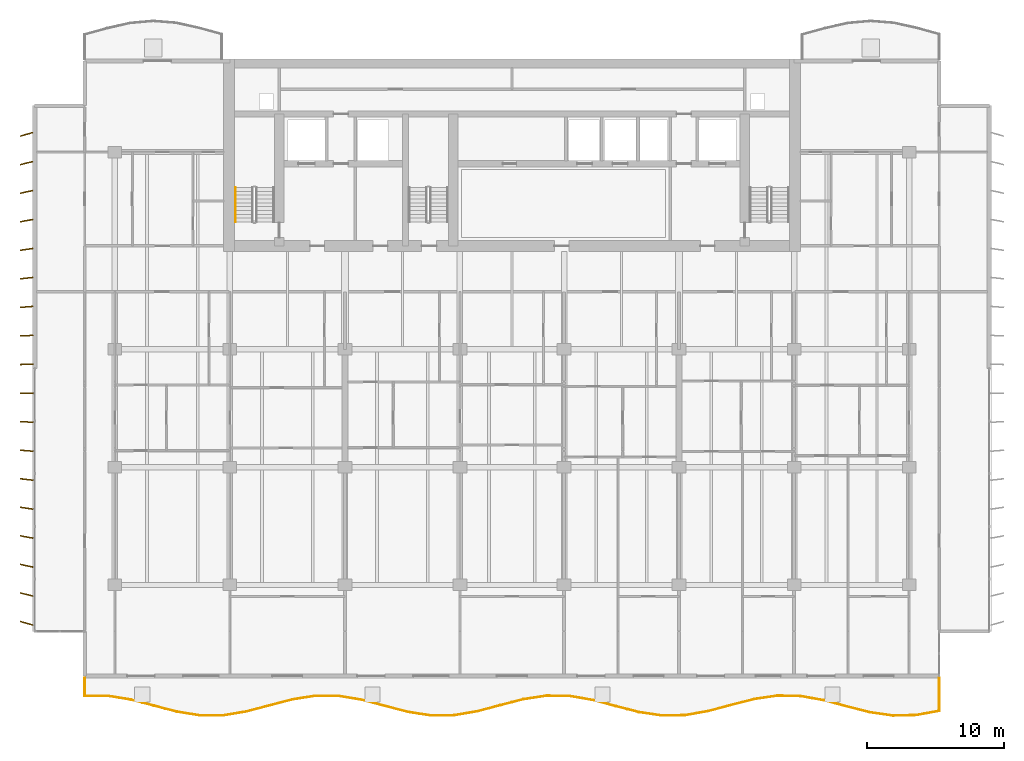
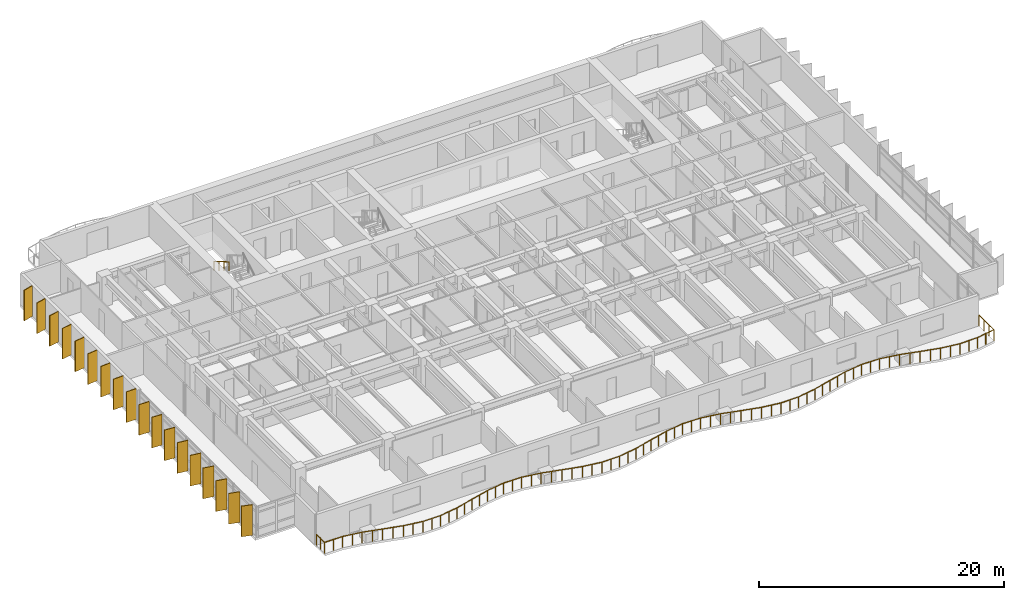
# One storey, part 16 of 19: 18 shading devices, 2 railings.
"""IFC4 building model written with IfcOpenShell, lengths in metres."""

from ifc_helpers import new_model, si_unit, direction, frame, origin, origin_2d, place, context, subcontext, project, spatial, rectangle, circle, extrude, material, material_profile, profile_set, type_object, element, save


model = new_model("IFC4")

# Units and contexts
model_context = context("Model", 3, precision=1e-05, world=origin(), true_north=direction((0.0, 1.0)))
body_context = subcontext(model_context, "Body", "Model", "MODEL_VIEW")
ifc_project = project(units=[si_unit("LENGTHUNIT", "METRE"), si_unit("AREAUNIT", "SQUARE_METRE"), si_unit("VOLUMEUNIT", "CUBIC_METRE"), si_unit("PLANEANGLEUNIT", "RADIAN"), si_unit("MASSUNIT", "GRAM", prefix="KILO")], contexts=[model_context])

# Site, building, storey
site_placement = place(None, origin())
site = spatial("IfcSite", under=ifc_project, at=site_placement, CompositionType="ELEMENT")
building_placement = place(site_placement, origin())
building = spatial("IfcBuilding", under=site, at=building_placement, Name="Caelmar Bay Residences", CompositionType="ELEMENT")
storey_placement = place(building_placement, frame((0.0, 0.0, 112.5)))
storey = spatial("IfcBuildingStorey", under=building, at=storey_placement, Name="L30", CompositionType="ELEMENT", Elevation=112.5)

# Railings
ifc_material_1 = material(Name="Anodised bronze handrail with laminated hurricane glass infill", Category="glass")
railing_type_1 = type_object("IfcRailingType", Name="RL-BAL-1100", PredefinedType="BALUSTRADE", material=ifc_material_1)
railing_1_placement = place(storey_placement, frame((7.699951171875, 5.39990234375, 0.0)))
element("IfcRailing", 1, at=railing_1_placement, inside=storey, type_object=railing_type_1, Name="L30 south Balcony Balustrade", PredefinedType="BALUSTRADE", context=body_context, shape_type="SweptSolid", body=[
    extrude(circle(Radius=0.02392578125, at=origin_2d()), frame((0.0, 0.0, 1.076171875), z_axis=(0.0, -1.0, 0.0), x_axis=(1.0, 0.0, 0.0)), (0.0, 0.0, 1.0), 1.306640625),
    extrude(circle(Radius=0.02392578125, at=origin_2d()), frame((0.0, -1.306640625, 1.076171875), z_axis=(0.999999958089, -0.000289519386, 0.0), x_axis=(0.000289519386, 0.999999958089, 0.0)), (0.0, 0.0, 1.0), 1.6865234375),
    extrude(circle(Radius=0.02392578125, at=origin_2d()), frame((1.6865234375, -1.30712890625, 1.076171875), z_axis=(0.986974579676, -0.160876284991, 0.0), x_axis=(0.160876284991, 0.986974579676, 0.0)), (0.0, 0.0, 1.0), 1.708740234375),
    extrude(circle(Radius=0.02392578125, at=origin_2d()), frame((3.373046875, -1.58203125, 1.076171875), z_axis=(0.967139791751, -0.254245202927, 0.0), x_axis=(0.254245202927, 0.967139791751, 0.0)), (0.0, 0.0, 1.0), 1.743896484375),
    extrude(circle(Radius=0.02392578125, at=origin_2d()), frame((5.0595703125, -2.025390625, 1.076171875), z_axis=(0.967440029978, -0.253100352421, 0.0), x_axis=(0.253100352421, 0.967440029978, 0.0)), (0.0, 0.0, 1.0), 1.742919921875),
    extrude(circle(Radius=0.02392578125, at=origin_2d()), frame((6.745849609375, -2.466552734375, 1.076171875), z_axis=(0.9874914269, -0.157672704672, 0.0), x_axis=(0.157672704672, 0.9874914269, 0.0)), (0.0, 0.0, 1.0), 1.7080078125),
    extrude(circle(Radius=0.02392578125, at=origin_2d()), frame((8.432373046875, -2.73583984375, 1.076171875), z_axis=(0.999993451511, 0.003618968774, 0.0), x_axis=(-0.003618968774, 0.999993451511, 0.0)), (0.0, 0.0, 1.0), 1.6865234375),
    extrude(circle(Radius=0.02392578125, at=origin_2d()), frame((10.118896484375, -2.729736328125, 1.076171875), z_axis=(0.986563231063, 0.163379898138, 0.0), x_axis=(-0.163379898138, 0.986563231063, 0.0)), (0.0, 0.0, 1.0), 1.70947265625),
    extrude(circle(Radius=0.02392578125, at=origin_2d()), frame((11.805419921875, -2.450439453125, 1.076171875), z_axis=(0.966898439916, 0.255161530974, 0.0), x_axis=(-0.255161530974, 0.966898439916, 0.0)), (0.0, 0.0, 1.0), 1.744140625),
    extrude(circle(Radius=0.02392578125, at=origin_2d()), frame((13.491943359375, -2.00537109375, 1.076171875), z_axis=(0.967688638473, 0.252148168682, 0.0), x_axis=(-0.252148168682, 0.967688638473, 0.0)), (0.0, 0.0, 1.0), 1.742919921875),
    extrude(circle(Radius=0.02392578125, at=origin_2d()), frame((15.178466796875, -1.56591796875, 1.076171875), z_axis=(0.987910938924, 0.155022504023, 0.0), x_axis=(-0.155022504023, 0.987910938924, 0.0)), (0.0, 0.0, 1.0), 1.707275390625),
    extrude(circle(Radius=0.02392578125, at=origin_2d()), frame((16.864990234375, -1.30126953125, 1.076171875), z_axis=(0.999975860287, -0.006948297813, 0.0), x_axis=(0.006948297813, 0.999975860287, 0.0)), (0.0, 0.0, 1.0), 1.6865234375),
    extrude(circle(Radius=0.02392578125, at=origin_2d()), frame((18.551513671875, -1.31298828125, 1.076171875), z_axis=(0.986118588389, -0.166042553684, 0.0), x_axis=(0.166042553684, 0.986118588389, 0.0)), (0.0, 0.0, 1.0), 1.7099609375),
    extrude(circle(Radius=0.02392578125, at=origin_2d()), frame((20.23779296875, -1.596923828125, 1.076171875), z_axis=(0.966690972381, -0.255946408292, 0.0), x_axis=(0.255946408292, 0.966690972381, 0.0)), (0.0, 0.0, 1.0), 1.74462890625),
    extrude(circle(Radius=0.02392578125, at=origin_2d()), frame((21.92431640625, -2.04345703125, 1.076171875), z_axis=(0.967927523166, -0.251229595981, 0.0), x_axis=(0.251229595981, 0.967927523166, 0.0)), (0.0, 0.0, 1.0), 1.742431640625),
    extrude(circle(Radius=0.02392578125, at=origin_2d()), frame((23.61083984375, -2.481201171875, 1.076171875), z_axis=(0.988323683, -0.152368952287, 0.0), x_axis=(0.152368952287, 0.988323683, 0.0)), (0.0, 0.0, 1.0), 1.70654296875),
    extrude(circle(Radius=0.02392578125, at=origin_2d()), frame((25.29736328125, -2.7412109375, 1.076171875), z_axis=(0.999945688105, 0.010422132244, 0.0), x_axis=(-0.010422132244, 0.999945688105, 0.0)), (0.0, 0.0, 1.0), 1.6865234375),
    extrude(circle(Radius=0.02392578125, at=origin_2d()), frame((26.98388671875, -2.7236328125, 1.076171875), z_axis=(0.985698872847, 0.168516266478, 0.0), x_axis=(-0.168516266478, 0.985698872847, 0.0)), (0.0, 0.0, 1.0), 1.7109375),
    extrude(circle(Radius=0.02392578125, at=origin_2d()), frame((28.67041015625, -2.435302734375, 1.076171875), z_axis=(0.966448234949, 0.256861459086, 0.0), x_axis=(-0.256861459086, 0.966448234949, 0.0)), (0.0, 0.0, 1.0), 1.7451171875),
    extrude(circle(Radius=0.02392578125, at=origin_2d()), frame((30.35693359375, -1.987060546875, 1.076171875), z_axis=(0.968224786027, 0.250081514156, 0.0), x_axis=(-0.250081514156, 0.968224786027, 0.0)), (0.0, 0.0, 1.0), 1.74169921875),
    extrude(circle(Radius=0.02392578125, at=origin_2d()), frame((32.043212890625, -1.551513671875, 1.076171875), z_axis=(0.988729632771, 0.149712101314, 0.0), x_axis=(-0.149712101314, 0.988729632771, 0.0)), (0.0, 0.0, 1.0), 1.705810546875),
    extrude(circle(Radius=0.02392578125, at=origin_2d()), frame((33.729736328125, -1.296142578125, 1.076171875), z_axis=(0.999905452302, -0.013750871159, 0.0), x_axis=(0.013750871159, 0.999905452302, 0.0)), (0.0, 0.0, 1.0), 1.686767578125),
    extrude(circle(Radius=0.02392578125, at=origin_2d()), frame((35.416259765625, -1.3193359375, 1.076171875), z_axis=(0.985269273516, -0.17101011276, 0.0), x_axis=(0.17101011276, 0.985269273516, 0.0)), (0.0, 0.0, 1.0), 1.711669921875),
    extrude(circle(Radius=0.02392578125, at=origin_2d()), frame((37.102783203125, -1.612060546875, 1.076171875), z_axis=(0.966239582517, -0.257645238998, 0.0), x_axis=(0.257645238998, 0.966239582517, 0.0)), (0.0, 0.0, 1.0), 1.745361328125),
    extrude(circle(Radius=0.02392578125, at=origin_2d()), frame((38.789306640625, -2.061767578125, 1.076171875), z_axis=(0.968504525457, -0.248995952115, 0.0), x_axis=(0.248995952115, 0.968504525457, 0.0)), (0.0, 0.0, 1.0), 1.741455078125),
    extrude(circle(Radius=0.02392578125, at=origin_2d()), frame((40.475830078125, -2.495361328125, 1.076171875), z_axis=(0.989149579657, -0.146911909196, 0.0), x_axis=(0.146911909196, 0.989149579657, 0.0)), (0.0, 0.0, 1.0), 1.705078125),
    extrude(circle(Radius=0.02392578125, at=origin_2d()), frame((42.162353515625, -2.745849609375, 1.076171875), z_axis=(0.999856560301, 0.016936907131, 0.0), x_axis=(-0.016936907131, 0.999856560301, 0.0)), (0.0, 0.0, 1.0), 1.6865234375),
    extrude(circle(Radius=0.02392578125, at=origin_2d()), frame((43.8486328125, -2.71728515625, 1.076171875), z_axis=(0.984833750045, 0.173500676578, 0.0), x_axis=(-0.173500676578, 0.984833750045, 0.0)), (0.0, 0.0, 1.0), 1.71240234375),
    extrude(circle(Radius=0.02392578125, at=origin_2d()), frame((45.53515625, -2.420166015625, 1.076171875), z_axis=(0.966030385071, 0.258428510656, 0.0), x_axis=(-0.258428510656, 0.966030385071, 0.0)), (0.0, 0.0, 1.0), 1.745849609375),
    extrude(circle(Radius=0.02392578125, at=origin_2d()), frame((47.2216796875, -1.968994140625, 1.076171875), z_axis=(0.968808185874, 0.24781182172, 0.0), x_axis=(-0.24781182172, 0.968808185874, 0.0)), (0.0, 0.0, 1.0), 1.74072265625),
    extrude(circle(Radius=0.02392578125, at=origin_2d()), frame((48.908203125, -1.53759765625, 1.076171875), z_axis=(0.989521045856, 0.144388710802, 0.0), x_axis=(-0.144388710802, 0.989521045856, 0.0)), (0.0, 0.0, 1.0), 1.704345703125),
    extrude(circle(Radius=0.02392578125, at=origin_2d()), frame((50.5947265625, -1.29150390625, 1.076171875), z_axis=(0.999791758205, -0.020406867097, 0.0), x_axis=(0.020406867097, 0.999791758205, 0.0)), (0.0, 0.0, 1.0), 1.686767578125),
    extrude(circle(Radius=0.02392578125, at=origin_2d()), frame((52.28125, -1.325927734375, 1.076171875), z_axis=(0.984387912567, -0.176012606344, 0.0), x_axis=(0.176012606344, 0.984387912567, 0.0)), (0.0, 0.0, 1.0), 1.713134765625),
    extrude(circle(Radius=0.02392578125, at=origin_2d()), frame((53.967529296875, -1.62744140625, 1.076171875), z_axis=(0.965855638387, -0.259080847992, 0.0), x_axis=(0.259080847992, 0.965855638387, 0.0)), (0.0, 0.0, 1.0), 1.74609375),
    extrude(circle(Radius=0.02392578125, at=origin_2d()), frame((55.654052734375, -2.079833984375, 1.076171875), z_axis=(0.969077049344, -0.246758327996, 0.0), x_axis=(0.246758327996, 0.969077049344, 0.0)), (0.0, 0.0, 1.0), 1.740234375),
    extrude(circle(Radius=0.02392578125, at=origin_2d()), frame((57.340576171875, -2.50927734375, 1.076171875), z_axis=(0.98994662737, -0.141441418821, 0.0), x_axis=(0.141441418821, 0.98994662737, 0.0)), (0.0, 0.0, 1.0), 1.70361328125),
    extrude(circle(Radius=0.02392578125, at=origin_2d()), frame((59.027099609375, -2.750244140625, 1.076171875), z_axis=(0.999718311246, 0.023733903162, 0.0), x_axis=(-0.023733903162, 0.999718311246, 0.0)), (0.0, 0.0, 1.0), 1.68701171875),
    extrude(circle(Radius=0.02392578125, at=origin_2d()), frame((60.713623046875, -2.710205078125, 1.076171875), z_axis=(0.983970032718, 0.17833388549, 0.0), x_axis=(-0.17833388549, 0.983970032718, 0.0)), (0.0, 0.0, 1.0), 1.714111328125),
    extrude(circle(Radius=0.02392578125, at=origin_2d()), frame((62.400146484375, -2.404541015625, 1.076171875), z_axis=(0.0, 1.0, 0.0), x_axis=(-1.0, 0.0, 0.0)), (0.0, 0.0, 1.0), 2.404541015625),
    extrude(circle(Radius=0.02099609375, at=origin_2d()), origin(), (0.0, 0.0, 1.0), 1.052001953125),
    extrude(circle(Radius=0.02099609375, at=origin_2d()), frame((0.0, -0.6533203125, 0.0)), (0.0, 0.0, 1.0), 1.052001953125),
    extrude(circle(Radius=0.02099609375, at=origin_2d()), frame((0.0, -1.306640625, 0.0)), (0.0, 0.0, 1.0), 1.052001953125),
    extrude(circle(Radius=0.02099609375, at=origin_2d()), frame((0.84326171875, -1.306884765625, 0.0)), (0.0, 0.0, 1.0), 1.052001953125),
    extrude(circle(Radius=0.02099609375, at=origin_2d()), frame((1.6865234375, -1.30712890625, 0.0)), (0.0, 0.0, 1.0), 1.052001953125),
    extrude(circle(Radius=0.02099609375, at=origin_2d()), frame((2.52978515625, -1.444580078125, 0.0)), (0.0, 0.0, 1.0), 1.052001953125),
    extrude(circle(Radius=0.02099609375, at=origin_2d()), frame((3.373046875, -1.58203125, 0.0)), (0.0, 0.0, 1.0), 1.052001953125),
    extrude(circle(Radius=0.02099609375, at=origin_2d()), frame((4.21630859375, -1.8037109375, 0.0)), (0.0, 0.0, 1.0), 1.052001953125),
    extrude(circle(Radius=0.02099609375, at=origin_2d()), frame((5.0595703125, -2.025390625, 0.0)), (0.0, 0.0, 1.0), 1.052001953125),
    extrude(circle(Radius=0.02099609375, at=origin_2d()), frame((5.90283203125, -2.24609375, 0.0)), (0.0, 0.0, 1.0), 1.052001953125),
    extrude(circle(Radius=0.02099609375, at=origin_2d()), frame((6.745849609375, -2.466552734375, 0.0)), (0.0, 0.0, 1.0), 1.052001953125),
    extrude(circle(Radius=0.02099609375, at=origin_2d()), frame((7.589111328125, -2.60107421875, 0.0)), (0.0, 0.0, 1.0), 1.052001953125),
    extrude(circle(Radius=0.02099609375, at=origin_2d()), frame((8.432373046875, -2.73583984375, 0.0)), (0.0, 0.0, 1.0), 1.052001953125),
    extrude(circle(Radius=0.02099609375, at=origin_2d()), frame((9.275634765625, -2.73291015625, 0.0)), (0.0, 0.0, 1.0), 1.052001953125),
    extrude(circle(Radius=0.02099609375, at=origin_2d()), frame((10.118896484375, -2.729736328125, 0.0)), (0.0, 0.0, 1.0), 1.052001953125),
    extrude(circle(Radius=0.02099609375, at=origin_2d()), frame((10.962158203125, -2.590087890625, 0.0)), (0.0, 0.0, 1.0), 1.052001953125),
    extrude(circle(Radius=0.02099609375, at=origin_2d()), frame((11.805419921875, -2.450439453125, 0.0)), (0.0, 0.0, 1.0), 1.052001953125),
    extrude(circle(Radius=0.02099609375, at=origin_2d()), frame((12.648681640625, -2.22802734375, 0.0)), (0.0, 0.0, 1.0), 1.052001953125),
    extrude(circle(Radius=0.02099609375, at=origin_2d()), frame((13.491943359375, -2.00537109375, 0.0)), (0.0, 0.0, 1.0), 1.052001953125),
    extrude(circle(Radius=0.02099609375, at=origin_2d()), frame((14.335205078125, -1.78564453125, 0.0)), (0.0, 0.0, 1.0), 1.052001953125),
    extrude(circle(Radius=0.02099609375, at=origin_2d()), frame((15.178466796875, -1.56591796875, 0.0)), (0.0, 0.0, 1.0), 1.052001953125),
    extrude(circle(Radius=0.02099609375, at=origin_2d()), frame((16.021728515625, -1.43359375, 0.0)), (0.0, 0.0, 1.0), 1.052001953125),
    extrude(circle(Radius=0.02099609375, at=origin_2d()), frame((16.864990234375, -1.30126953125, 0.0)), (0.0, 0.0, 1.0), 1.052001953125),
    extrude(circle(Radius=0.02099609375, at=origin_2d()), frame((17.708251953125, -1.30712890625, 0.0)), (0.0, 0.0, 1.0), 1.052001953125),
    extrude(circle(Radius=0.02099609375, at=origin_2d()), frame((18.551513671875, -1.31298828125, 0.0)), (0.0, 0.0, 1.0), 1.052001953125),
    extrude(circle(Radius=0.02099609375, at=origin_2d()), frame((19.39453125, -1.455078125, 0.0)), (0.0, 0.0, 1.0), 1.052001953125),
    extrude(circle(Radius=0.02099609375, at=origin_2d()), frame((20.23779296875, -1.596923828125, 0.0)), (0.0, 0.0, 1.0), 1.052001953125),
    extrude(circle(Radius=0.02099609375, at=origin_2d()), frame((21.0810546875, -1.8203125, 0.0)), (0.0, 0.0, 1.0), 1.052001953125),
    extrude(circle(Radius=0.02099609375, at=origin_2d()), frame((21.92431640625, -2.04345703125, 0.0)), (0.0, 0.0, 1.0), 1.052001953125),
    extrude(circle(Radius=0.02099609375, at=origin_2d()), frame((22.767578125, -2.26220703125, 0.0)), (0.0, 0.0, 1.0), 1.052001953125),
    extrude(circle(Radius=0.02099609375, at=origin_2d()), frame((23.61083984375, -2.481201171875, 0.0)), (0.0, 0.0, 1.0), 1.052001953125),
    extrude(circle(Radius=0.02099609375, at=origin_2d()), frame((24.4541015625, -2.611328125, 0.0)), (0.0, 0.0, 1.0), 1.052001953125),
    extrude(circle(Radius=0.02099609375, at=origin_2d()), frame((25.29736328125, -2.7412109375, 0.0)), (0.0, 0.0, 1.0), 1.052001953125),
    extrude(circle(Radius=0.02099609375, at=origin_2d()), frame((26.140625, -2.732421875, 0.0)), (0.0, 0.0, 1.0), 1.052001953125),
    extrude(circle(Radius=0.02099609375, at=origin_2d()), frame((26.98388671875, -2.7236328125, 0.0)), (0.0, 0.0, 1.0), 1.052001953125),
    extrude(circle(Radius=0.02099609375, at=origin_2d()), frame((27.8271484375, -2.57958984375, 0.0)), (0.0, 0.0, 1.0), 1.052001953125),
    extrude(circle(Radius=0.02099609375, at=origin_2d()), frame((28.67041015625, -2.435302734375, 0.0)), (0.0, 0.0, 1.0), 1.052001953125),
    extrude(circle(Radius=0.02099609375, at=origin_2d()), frame((29.513671875, -2.211181640625, 0.0)), (0.0, 0.0, 1.0), 1.052001953125),
    extrude(circle(Radius=0.02099609375, at=origin_2d()), frame((30.35693359375, -1.987060546875, 0.0)), (0.0, 0.0, 1.0), 1.052001953125),
    extrude(circle(Radius=0.02099609375, at=origin_2d()), frame((31.2001953125, -1.769287109375, 0.0)), (0.0, 0.0, 1.0), 1.052001953125),
    extrude(circle(Radius=0.02099609375, at=origin_2d()), frame((32.043212890625, -1.551513671875, 0.0)), (0.0, 0.0, 1.0), 1.052001953125),
    extrude(circle(Radius=0.02099609375, at=origin_2d()), frame((32.886474609375, -1.423828125, 0.0)), (0.0, 0.0, 1.0), 1.052001953125),
    extrude(circle(Radius=0.02099609375, at=origin_2d()), frame((33.729736328125, -1.296142578125, 0.0)), (0.0, 0.0, 1.0), 1.052001953125),
    extrude(circle(Radius=0.02099609375, at=origin_2d()), frame((34.572998046875, -1.3076171875, 0.0)), (0.0, 0.0, 1.0), 1.052001953125),
    extrude(circle(Radius=0.02099609375, at=origin_2d()), frame((35.416259765625, -1.3193359375, 0.0)), (0.0, 0.0, 1.0), 1.052001953125),
    extrude(circle(Radius=0.02099609375, at=origin_2d()), frame((36.259521484375, -1.4658203125, 0.0)), (0.0, 0.0, 1.0), 1.052001953125),
    extrude(circle(Radius=0.02099609375, at=origin_2d()), frame((37.102783203125, -1.612060546875, 0.0)), (0.0, 0.0, 1.0), 1.052001953125),
    extrude(circle(Radius=0.02099609375, at=origin_2d()), frame((37.946044921875, -1.8369140625, 0.0)), (0.0, 0.0, 1.0), 1.052001953125),
    extrude(circle(Radius=0.02099609375, at=origin_2d()), frame((38.789306640625, -2.061767578125, 0.0)), (0.0, 0.0, 1.0), 1.052001953125),
    extrude(circle(Radius=0.02099609375, at=origin_2d()), frame((39.632568359375, -2.278564453125, 0.0)), (0.0, 0.0, 1.0), 1.052001953125),
    extrude(circle(Radius=0.02099609375, at=origin_2d()), frame((40.475830078125, -2.495361328125, 0.0)), (0.0, 0.0, 1.0), 1.052001953125),
    extrude(circle(Radius=0.02099609375, at=origin_2d()), frame((41.319091796875, -2.62060546875, 0.0)), (0.0, 0.0, 1.0), 1.052001953125),
    extrude(circle(Radius=0.02099609375, at=origin_2d()), frame((42.162353515625, -2.745849609375, 0.0)), (0.0, 0.0, 1.0), 1.052001953125),
    extrude(circle(Radius=0.02099609375, at=origin_2d()), frame((43.00537109375, -2.7314453125, 0.0)), (0.0, 0.0, 1.0), 1.052001953125),
    extrude(circle(Radius=0.02099609375, at=origin_2d()), frame((43.8486328125, -2.71728515625, 0.0)), (0.0, 0.0, 1.0), 1.052001953125),
    extrude(circle(Radius=0.02099609375, at=origin_2d()), frame((44.69189453125, -2.56884765625, 0.0)), (0.0, 0.0, 1.0), 1.052001953125),
    extrude(circle(Radius=0.02099609375, at=origin_2d()), frame((45.53515625, -2.420166015625, 0.0)), (0.0, 0.0, 1.0), 1.052001953125),
    extrude(circle(Radius=0.02099609375, at=origin_2d()), frame((46.37841796875, -2.194580078125, 0.0)), (0.0, 0.0, 1.0), 1.052001953125),
    extrude(circle(Radius=0.02099609375, at=origin_2d()), frame((47.2216796875, -1.968994140625, 0.0)), (0.0, 0.0, 1.0), 1.052001953125),
    extrude(circle(Radius=0.02099609375, at=origin_2d()), frame((48.06494140625, -1.75341796875, 0.0)), (0.0, 0.0, 1.0), 1.052001953125),
    extrude(circle(Radius=0.02099609375, at=origin_2d()), frame((48.908203125, -1.53759765625, 0.0)), (0.0, 0.0, 1.0), 1.052001953125),
    extrude(circle(Radius=0.02099609375, at=origin_2d()), frame((49.75146484375, -1.41455078125, 0.0)), (0.0, 0.0, 1.0), 1.052001953125),
    extrude(circle(Radius=0.02099609375, at=origin_2d()), frame((50.5947265625, -1.29150390625, 0.0)), (0.0, 0.0, 1.0), 1.052001953125),
    extrude(circle(Radius=0.02099609375, at=origin_2d()), frame((51.43798828125, -1.30859375, 0.0)), (0.0, 0.0, 1.0), 1.052001953125),
    extrude(circle(Radius=0.02099609375, at=origin_2d()), frame((52.28125, -1.325927734375, 0.0)), (0.0, 0.0, 1.0), 1.052001953125),
    extrude(circle(Radius=0.02099609375, at=origin_2d()), frame((53.12451171875, -1.4765625, 0.0)), (0.0, 0.0, 1.0), 1.052001953125),
    extrude(circle(Radius=0.02099609375, at=origin_2d()), frame((53.967529296875, -1.62744140625, 0.0)), (0.0, 0.0, 1.0), 1.052001953125),
    extrude(circle(Radius=0.02099609375, at=origin_2d()), frame((54.810791015625, -1.853515625, 0.0)), (0.0, 0.0, 1.0), 1.052001953125),
    extrude(circle(Radius=0.02099609375, at=origin_2d()), frame((55.654052734375, -2.079833984375, 0.0)), (0.0, 0.0, 1.0), 1.052001953125),
    extrude(circle(Radius=0.02099609375, at=origin_2d()), frame((56.497314453125, -2.29443359375, 0.0)), (0.0, 0.0, 1.0), 1.052001953125),
    extrude(circle(Radius=0.02099609375, at=origin_2d()), frame((57.340576171875, -2.50927734375, 0.0)), (0.0, 0.0, 1.0), 1.052001953125),
    extrude(circle(Radius=0.02099609375, at=origin_2d()), frame((58.183837890625, -2.6298828125, 0.0)), (0.0, 0.0, 1.0), 1.052001953125),
    extrude(circle(Radius=0.02099609375, at=origin_2d()), frame((59.027099609375, -2.750244140625, 0.0)), (0.0, 0.0, 1.0), 1.052001953125),
    extrude(circle(Radius=0.02099609375, at=origin_2d()), frame((59.870361328125, -2.730224609375, 0.0)), (0.0, 0.0, 1.0), 1.052001953125),
    extrude(circle(Radius=0.02099609375, at=origin_2d()), frame((60.713623046875, -2.710205078125, 0.0)), (0.0, 0.0, 1.0), 1.052001953125),
    extrude(circle(Radius=0.02099609375, at=origin_2d()), frame((61.556884765625, -2.557373046875, 0.0)), (0.0, 0.0, 1.0), 1.052001953125),
    extrude(circle(Radius=0.02099609375, at=origin_2d()), frame((62.400146484375, -2.404541015625, 0.0)), (0.0, 0.0, 1.0), 1.052001953125),
    extrude(circle(Radius=0.02099609375, at=origin_2d()), frame((62.400146484375, -1.60302734375, 0.0)), (0.0, 0.0, 1.0), 1.052001953125),
    extrude(circle(Radius=0.02099609375, at=origin_2d()), frame((62.400146484375, -0.801513671875, 0.0)), (0.0, 0.0, 1.0), 1.052001953125),
    extrude(circle(Radius=0.02099609375, at=origin_2d()), frame((62.400146484375, 0.0, 0.0)), (0.0, 0.0, 1.0), 1.052001953125),
])
ifc_material_2 = material(Name="Brushed bronze stainless-steel tubular handrail 900 mm", Category="steel")
railing_type_2 = type_object("IfcRailingType", Name="RL-HND-900", PredefinedType="HANDRAIL", material=ifc_material_2)
railing_2_placement = place(storey_placement, frame((18.699951171875, 41.219970703125, 1.81494140625)))
element("IfcRailing", 2, at=railing_2_placement, inside=storey, type_object=railing_type_2, Name="L30 ST1 stair handrail 2", PredefinedType="HANDRAIL", context=body_context, shape_type="SweptSolid", body=[
    extrude(circle(Radius=0.02392578125, at=origin_2d()), frame((0.0, 0.0, 0.8759765625), z_axis=(0.0, -0.86152411907, 0.507716645641), x_axis=(1.0, 0.0, 0.0)), (0.0, 0.0, 1.0), 2.925048828125),
    extrude(circle(Radius=0.02099609375, at=origin_2d()), origin(), (0.0, 0.0, 1.0), 0.851806640625),
    extrude(circle(Radius=0.02099609375, at=origin_2d()), frame((0.0, -0.840087890625, 0.4951171875)), (0.0, 0.0, 1.0), 0.851806640625),
    extrude(circle(Radius=0.02099609375, at=origin_2d()), frame((0.0, -1.679931640625, 0.989990234375)), (0.0, 0.0, 1.0), 0.851806640625),
    extrude(circle(Radius=0.02099609375, at=origin_2d()), frame((0.0, -2.52001953125, 1.485107421875)), (0.0, 0.0, 1.0), 0.851806640625),
])

# Shading devices
ifc_material_3 = material(Name="Anodised architectural bronze aluminium 6063-T6", Category="aluminium")
ifc_material_profile = material_profile(ifc_material_3, rectangle(XDim=0.074951171875, YDim=0.949951171875, at=origin_2d()), Name="BRONZE-FIN-75X950")
ifc_profile_set = profile_set([ifc_material_profile], Name="Anodised architectural bronze aluminium 6063-T6")
shading_device_type = type_object("IfcShadingDeviceType", Name="SHD-FIN-950", PredefinedType="USERDEFINED", material=ifc_profile_set)
for number, where, z_axis, x_axis, name in (
    (3, (3.449951171875, 9.39990234375, 0.0), (0.0, 0.0, 1.0), (0.275637355817, 0.961261695938, 0.0), "L30 West Bronze Solar Fin 1"),
    (4, (3.449951171875, 11.5, 0.0), (0.0, 0.0, 1.0), (0.243953546137, 0.969786918517, 0.0), "L30 West Bronze Solar Fin 2"),
    (5, (3.449951171875, 13.60009765625, 0.0), (0.0, 0.0, 1.0), (0.212007109922, 0.977268123568, 0.0), "L30 West Bronze Solar Fin 3"),
    (6, (3.449951171875, 15.699951171875, 0.0), (0.0, 0.0, 1.0), (0.179660748593, 0.98372862895, 0.0), "L30 West Bronze Solar Fin 4"),
    (7, (3.449951171875, 17.800048828125, 0.0), (0.0, 0.0, 1.0), (0.147291543397, 0.989093120613, 0.0), "L30 West Bronze Solar Fin 5"),
    (8, (3.449951171875, 19.89990234375, 0.0), (0.0, 0.0, 1.0), (0.114763772489, 0.993392810787, 0.0), "L30 West Bronze Solar Fin 6"),
    (9, (3.449951171875, 22.0, 0.0), (0.0, 0.0, 1.0), (0.08211245342, 0.996623070671, 0.0), "L30 West Bronze Solar Fin 7"),
    (10, (3.449951171875, 24.10009765625, 0.0), (0.0, 0.0, 1.0), (0.049198415926, 0.998789024705, 0.0), "L30 West Bronze Solar Fin 8"),
    (11, (3.449951171875, 26.199951171875, 0.0), (0.0, 0.0, 1.0), (0.016405359001, 0.999865423043, 0.0), "L30 West Bronze Solar Fin 9"),
    (12, (3.449951171875, 28.300048828125, 0.0), (0.0, 0.0, 1.0), (-0.016405359001, 0.999865423043, 0.0), "L30 West Bronze Solar Fin 10"),
    (13, (3.449951171875, 30.39990234375, 0.0), (0.0, 0.0, 1.0), (-0.049198415926, 0.998789024705, 0.0), "L30 West Bronze Solar Fin 11"),
    (14, (3.449951171875, 32.5, 0.0), (0.0, 0.0, 1.0), (-0.08211245342, 0.996623070671, 0.0), "L30 West Bronze Solar Fin 12"),
    (15, (3.449951171875, 34.60009765625, 0.0), (0.0, 0.0, 1.0), (-0.114763772489, 0.993392810787, 0.0), "L30 West Bronze Solar Fin 13"),
    (16, (3.449951171875, 36.699951171875, 0.0), (0.0, 0.0, 1.0), (-0.147291543397, 0.989093120613, 0.0), "L30 West Bronze Solar Fin 14"),
    (17, (3.449951171875, 38.800048828125, 0.0), (0.0, 0.0, 1.0), (-0.179660748593, 0.98372862895, 0.0), "L30 West Bronze Solar Fin 15"),
    (18, (3.449951171875, 40.89990234375, 0.0), (0.0, 0.0, 1.0), (-0.212007109922, 0.977268123568, 0.0), "L30 West Bronze Solar Fin 16"),
    (19, (3.449951171875, 43.0, 0.0), (0.0, 0.0, 1.0), (-0.243953546137, 0.969786918517, 0.0), "L30 West Bronze Solar Fin 17"),
    (20, (3.449951171875, 45.10009765625, 0.0), (0.0, 0.0, 1.0), (-0.275637355817, 0.961261695938, 0.0), "L30 West Bronze Solar Fin 18"),
):
    element("IfcShadingDevice", number, at=place(storey_placement, frame(where, z_axis=z_axis, x_axis=x_axis)), inside=storey, type_object=shading_device_type, Name=name, ObjectType="FIN", PredefinedType="USERDEFINED", context=body_context, shape_type="SweptSolid", body=[
        extrude(rectangle(XDim=0.074951171875, YDim=0.949951171875, at=origin_2d()), origin(), (0.0, 0.0, 1.0), 3.050048828125),
    ])

save(model, "model.ifc")
